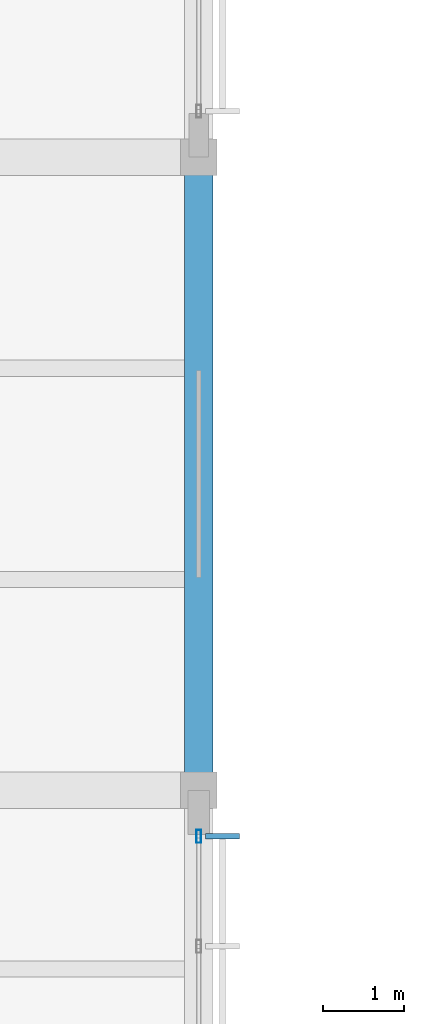
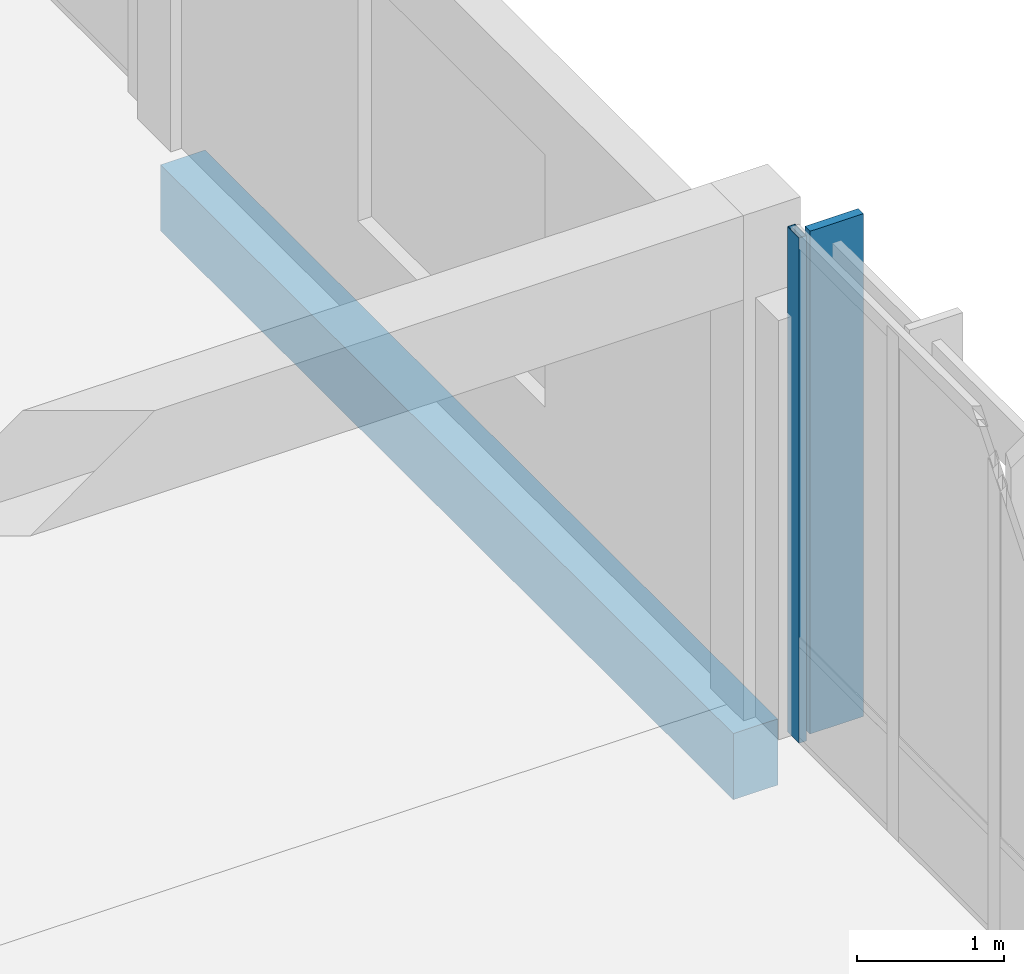
# One storey, part 15 of 107: 2 members, 1 beam, 1 element without a shape of its own.
"""IFC4 building model written with IfcOpenShell, lengths in metres."""

from ifc_helpers import new_model, si_unit, direction, frame, origin, origin_2d, place, context, subcontext, project, spatial, rectangle, hollow_rectangle, extrude, material, material_profile, profile_set, type_object, element, aggregate, save


model = new_model("IFC4")

# Units and contexts
model_context = context("Model", 3, precision=1e-05, world=origin(), true_north=direction((0.0, 1.0)))
body_context = subcontext(model_context, "Body", "Model", "MODEL_VIEW")
ifc_project = project(units=[si_unit("LENGTHUNIT", "METRE"), si_unit("AREAUNIT", "SQUARE_METRE"), si_unit("VOLUMEUNIT", "CUBIC_METRE"), si_unit("PLANEANGLEUNIT", "RADIAN"), si_unit("MASSUNIT", "GRAM", prefix="KILO")], contexts=[model_context])

# Site, building, storey
site_placement = place(None, origin())
site = spatial("IfcSite", under=ifc_project, at=site_placement, CompositionType="ELEMENT")
building_placement = place(site_placement, origin())
building = spatial("IfcBuilding", under=site, at=building_placement, Name="Chiffa Square Polytechnic", CompositionType="ELEMENT")
storey_placement = place(building_placement, frame((0.0, 0.0, 13.800048828125)))
storey = spatial("IfcBuildingStorey", under=building, at=storey_placement, Name="L03", CompositionType="ELEMENT", Elevation=13.800048828125)

# Beam
ifc_material_1 = material(Name="Concrete C35/45", Category="concrete")
ifc_material_profile_1 = material_profile(ifc_material_1, rectangle(XDim=0.35009765625, YDim=0.550048828125, at=origin_2d()), Name="RC 350x550")
ifc_profile_set_1 = profile_set([ifc_material_profile_1], Name="Concrete C35/45")
beam_type = type_object("IfcBeamType", Name="BM-RC-350X550", PredefinedType="BEAM", material=ifc_profile_set_1)
beam_placement = place(storey_placement, frame((32.0, 57.60009765625, -0.53515625), z_axis=(0.0, 1.0, 0.0), x_axis=(-1.0, 0.0, 0.0)))
element("IfcBeam", 1, at=beam_placement, inside=storey, type_object=beam_type, Name="Primary floor girder BM-V6-L03-Y-0320-0576", PredefinedType="BEAM", context=body_context, shape_type="SweptSolid", body=[
    extrude(rectangle(XDim=0.35009765625, YDim=0.550048828125, at=origin_2d()), origin(), (0.0, 0.0, 1.0), 7.7998046875),
])

# Curtain wall, members
ifc_material_2 = material(Name="Aluminium EN AW-6060 T66 and glulam shading", Category="wood")
curtain_wall_type = type_object("IfcCurtainWallType", Name="CW-VERT-480X380", PredefinedType="USERDEFINED", material=ifc_material_2)
curtain_wall_placement = place(storey_placement, origin())
curtain_wall = element("IfcCurtainWall", 2, at=curtain_wall_placement, inside=storey, type_object=curtain_wall_type, Name="Curtain wall CW-V6-L03-270", ObjectType="CURTAIN WALL", PredefinedType="USERDEFINED")
ifc_material_3 = material(Name="Aluminium EN AW-6060 T66", Category="aluminium")
ifc_material_profile_2 = material_profile(ifc_material_3, hollow_rectangle(XDim=0.06005859375, YDim=0.159912109375, WallThickness=0.00390625, at=origin_2d()), Name="ALU 60x160x4")
ifc_profile_set_2 = profile_set([ifc_material_profile_2], Name="Aluminium EN AW-6060 T66")
member_type_1 = type_object("IfcMemberType", Name="CWM-ALU-65X150", PredefinedType="MULLION", material=ifc_profile_set_2)
member_1_placement = place(storey_placement, frame((32.0, 57.034912109375, 0.0), z_axis=(0.0, 0.0, 1.0), x_axis=(1.0, 0.0, 0.0)))
member_1 = element("IfcMember", 3, at=member_1_placement, type_object=member_type_1, Name="Curtain wall mullion CW-V6-L03-270-M04", PredefinedType="MULLION", context=body_context, shape_type="SweptSolid", body=[
    extrude(hollow_rectangle(XDim=0.06005859375, YDim=0.159912109375, WallThickness=0.00390625, at=origin_2d()), origin(), (0.0, 0.0, 1.0), 4.199951171875),
])
ifc_material_4 = material(Name="Glulam GL28h", Category="wood")
ifc_material_profile_3 = material_profile(ifc_material_4, rectangle(XDim=0.070068359375, YDim=0.419921875, at=origin_2d()), Name="GL28h 70x420")
ifc_profile_set_3 = profile_set([ifc_material_profile_3], Name="Glulam GL28h")
member_type_2 = type_object("IfcMemberType", Name="CWM-GL-70X420", PredefinedType="MULLION", material=ifc_profile_set_3)
member_2_placement = place(storey_placement, frame((32.2919921875, 57.034912109375, 0.010009765625), z_axis=(0.0, 0.0, 1.0), x_axis=(0.0, 1.0, 0.0)))
member_2 = element("IfcMember", 4, at=member_2_placement, type_object=member_type_2, Name="Exterior glulam solar fin CW-V6-L03-270-FN04", PredefinedType="MULLION", context=body_context, shape_type="SweptSolid", body=[
    extrude(rectangle(XDim=0.070068359375, YDim=0.419921875, at=origin_2d()), origin(), (0.0, 0.0, 1.0), 4.179931640625),
])
aggregate(curtain_wall, [member_1, member_2])

save(model, "model.ifc")
